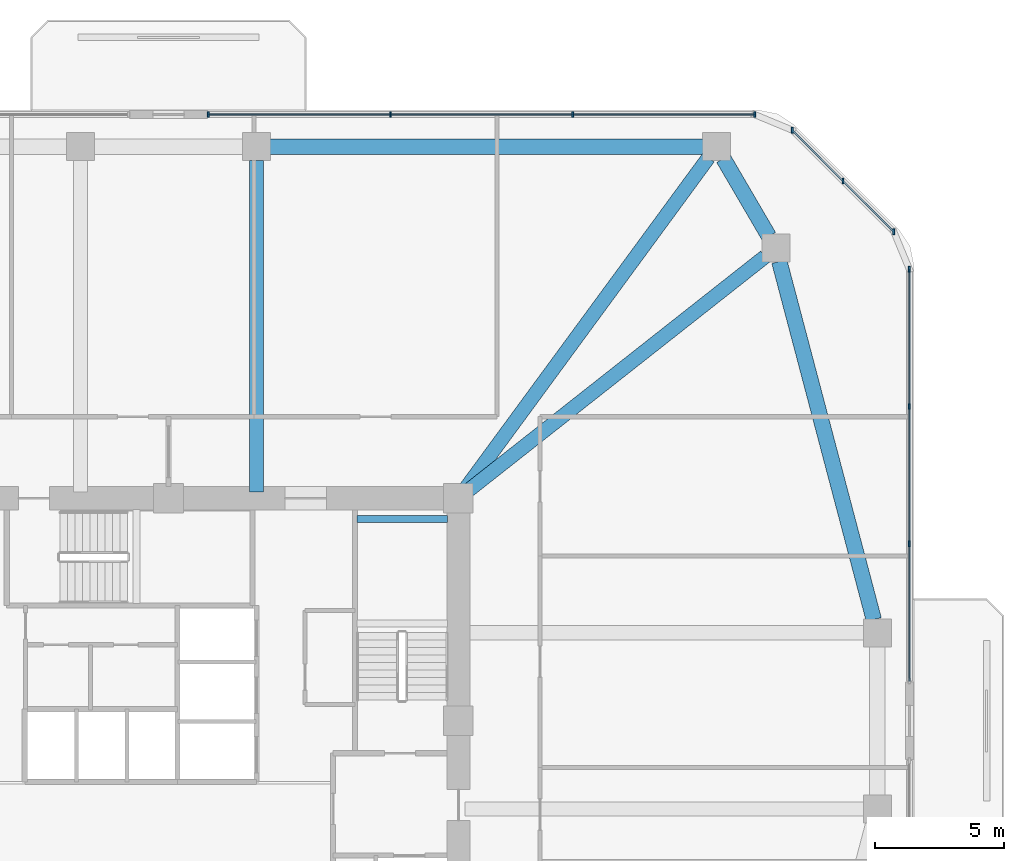
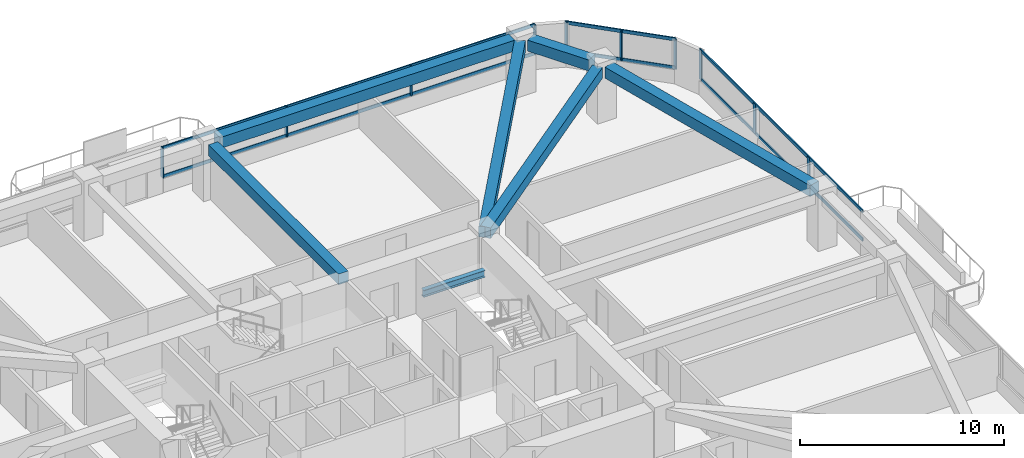
# One storey, part 7 of 13: 16 members, 7 beams, 3 elements without a shape of their own.
"""IFC4 building model written with IfcOpenShell, lengths in metres."""

import ifcopenshell
import ifcopenshell.guid

model = None  # the IFC model being written
_history = None  # IfcOwnerHistory: only IFC2X3 demands one
_inside = {}  # id of a spatial element -> (the spatial element, [elements in it])
_under = {}  # id of a project, library or spatial element -> (it, [spatial elements below it])
_declared = {}  # id of a project -> (the project, [libraries it declares])
_typed = {}  # id of a type object -> (the type object, [elements of that type])
_made_of = {}  # id of a material, layer set ... -> (it, [elements and type objects made of it])


def new_model(schema):
    """Start an empty IFC model of exactly this schema.

    Asked for "IFC4X3", IfcOpenShell would pick the latest addendum, in which some entities
    have other attributes; the version numbers below select the first issue.
    IFC2X3 requires an IfcOwnerHistory on every rooted entity: one is made here for all.
    """
    global model, _history
    if schema == "IFC4X3":
        model = ifcopenshell.file(schema_version=(4, 3, 0, 0))
    else:
        model = ifcopenshell.file(schema=schema)
    _inside.clear()
    _under.clear()
    _declared.clear()
    _typed.clear()
    _made_of.clear()
    _history = None
    if model.schema == "IFC2X3":
        org = make("IfcOrganization", Name="unknown")
        user = make(
            "IfcPersonAndOrganization",
            ThePerson=make("IfcPerson", FamilyName="unknown"),
            TheOrganization=org,
        )
        app = make(
            "IfcApplication",
            ApplicationDeveloper=org,
            Version="unknown",
            ApplicationFullName="unknown",
            ApplicationIdentifier="unknown",
        )
        _history = make(
            "IfcOwnerHistory",
            OwningUser=user,
            OwningApplication=app,
            ChangeAction="ADDED",
            CreationDate=0,
        )
    return model


def make(cls, **values):
    """One entity of the class cls with the attributes given. An attribute that is None is left unset."""
    return model.create_entity(
        cls, **{name: value for name, value in values.items() if value is not None}
    )


def rooted(cls, **values):
    """An entity with a GlobalId (a new one), such as an element, a storey or a relation."""
    return make(cls, GlobalId=ifcopenshell.guid.new(), OwnerHistory=_history, **values)


def si_unit(unit_type, name, prefix=None):
    """IfcSIUnit, for example si_unit("LENGTHUNIT", "METRE", prefix="MILLI")."""
    return make("IfcSIUnit", UnitType=unit_type, Prefix=prefix, Name=name)


def derived_unit(unit_type, elements):
    """IfcDerivedUnit: a product of units, each with its exponent."""
    return make(
        "IfcDerivedUnit",
        Elements=[
            make("IfcDerivedUnitElement", Unit=unit, Exponent=power)
            for unit, power in elements
        ],
        UnitType=unit_type,
    )


def assignment(units):
    """IfcUnitAssignment: the units of a project."""
    return None if units is None else make("IfcUnitAssignment", Units=units)


def point(xyz):
    """IfcCartesianPoint."""
    return None if xyz is None else make("IfcCartesianPoint", Coordinates=xyz)


def direction(xyz):
    """IfcDirection."""
    return None if xyz is None else make("IfcDirection", DirectionRatios=xyz)


def frame(location, z_axis=None, x_axis=None):
    """IfcAxis2Placement3D, a coordinate frame: its origin and axes. An axis left out is left unset."""
    return make(
        "IfcAxis2Placement3D",
        Location=point(location),
        Axis=direction(z_axis),
        RefDirection=direction(x_axis),
    )


def frame_2d(location, x_axis=None):
    """IfcAxis2Placement2D, a coordinate frame in the plane: its origin and x axis."""
    return make(
        "IfcAxis2Placement2D", Location=point(location), RefDirection=direction(x_axis)
    )


def origin():
    """The frame at (0, 0, 0) with its axes left unset."""
    return frame((0.0, 0.0, 0.0))


def origin_2d():
    """The frame at (0, 0) in the plane with its x axis left unset."""
    return frame_2d((0.0, 0.0))


def place(relative_to, where):
    """IfcLocalPlacement: puts the frame where relative to a parent placement (None: the world)."""
    return make(
        "IfcLocalPlacement", PlacementRelTo=relative_to, RelativePlacement=where
    )


def context(
    kind, dimensions, precision=None, world=None, true_north=None, identifier=None
):
    """IfcGeometricRepresentationContext, for example the 3D "Model" context."""
    return make(
        "IfcGeometricRepresentationContext",
        ContextIdentifier=identifier,
        ContextType=kind,
        CoordinateSpaceDimension=dimensions,
        Precision=precision,
        WorldCoordinateSystem=world,
        TrueNorth=true_north,
    )


def subcontext(parent, identifier, kind, view, scale=None):
    """IfcGeometricRepresentationSubContext, for example "Body" below "Model"."""
    return make(
        "IfcGeometricRepresentationSubContext",
        ContextIdentifier=identifier,
        ContextType=kind,
        ParentContext=parent,
        TargetScale=scale,
        TargetView=view,
    )


def project(units=None, contexts=None):
    """IfcProject with its units and contexts."""
    return rooted(
        "IfcProject",
        Name="project",
        RepresentationContexts=contexts,
        UnitsInContext=assignment(units),
    )


def spatial(cls, under=None, at=None, **own):
    """A site, building, storey or space (cls), placed at a placement, below another one or the project."""
    s = rooted(cls, ObjectPlacement=at, **own)
    if under is not None:
        _under.setdefault(under.id(), (under, []))[1].append(s)
    return s


def profile(cls, at=None, kind="AREA", **sizes):
    """A parametric profile (cls). Its sizes go by their IFC names, for example OverallWidth=200.0."""
    return make(cls, ProfileType=kind, Position=at, **sizes)


def rectangle(**sizes):
    """IfcRectangleProfileDef."""
    return profile("IfcRectangleProfileDef", **sizes)


def i_section(**sizes):
    """IfcIShapeProfileDef."""
    return profile("IfcIShapeProfileDef", **sizes)


def extrude(swept, where, along, depth):
    """IfcExtrudedAreaSolid: the profile swept, set in the frame where, extruded along a direction by depth."""
    return make(
        "IfcExtrudedAreaSolid",
        SweptArea=swept,
        Position=where,
        ExtrudedDirection=direction(along),
        Depth=depth,
    )


def shape(context_of_items, identifier, shape_type, items):
    """IfcShapeRepresentation: the items that make up one representation, for example the "Body"."""
    return make(
        "IfcShapeRepresentation",
        ContextOfItems=context_of_items,
        RepresentationIdentifier=identifier,
        RepresentationType=shape_type,
        Items=items,
    )


def material(Name=None, Category=None):
    """IfcMaterial."""
    return make("IfcMaterial", Name=Name, Category=Category)


def material_profile(
    of_material, cross_section, Name=None, Category=None, Priority=None
):
    """IfcMaterialProfile: a cross section and its material."""
    return make(
        "IfcMaterialProfile",
        Name=Name,
        Material=of_material,
        Profile=cross_section,
        Priority=Priority,
        Category=Category,
    )


def profile_set(profiles, Name=None, composite=None):
    """IfcMaterialProfileSet."""
    return make(
        "IfcMaterialProfileSet",
        Name=Name,
        MaterialProfiles=profiles,
        CompositeProfile=composite,
    )


def made_of(thing, what):
    """Note that an element or type object is made of a material, layer set ...; save() writes the relation."""
    if what is not None:
        _made_of.setdefault(what.id(), (what, []))[1].append(thing)
    return thing


def type_object(cls, material=None, **own):
    """A type object (cls), such as IfcWallType, which elements share."""
    return made_of(rooted(cls, **own), material)


def element(
    cls,
    number,
    at=None,
    inside=None,
    cuts=None,
    type_object=None,
    material=None,
    context=None,
    identifier="Body",
    shape_type=None,
    held_by="IfcProductDefinitionShape",
    body=None,
    shapes=None,
    **own,
):
    """One element of the class cls, such as IfcWall. Its Tag is "e" and its number.

    at: its placement. inside: the storey or other place that contains it. cuts: it is an
    opening in that element (IfcRelVoidsElement). A single representation is given by context,
    identifier, shape_type and body (its items); several are given by shapes. held_by: the class
    of the entity that holds the representations. save() writes the other relations.
    """
    e = rooted(cls, Tag="e%d" % number, ObjectPlacement=at, **own)
    if body is not None:
        shapes = [shape(context, identifier, shape_type, body)]
    if shapes is not None:
        e.Representation = make(held_by, Representations=shapes)
    if inside is not None:
        _inside.setdefault(inside.id(), (inside, []))[1].append(e)
    if cuts is not None:
        rooted(
            "IfcRelVoidsElement", RelatingBuildingElement=cuts, RelatedOpeningElement=e
        )
    if type_object is not None:
        _typed.setdefault(type_object.id(), (type_object, []))[1].append(e)
    return made_of(e, material)


def aggregate(whole, parts):
    """IfcRelAggregates: a whole, such as a stair, and the parts it consists of."""
    return rooted("IfcRelAggregates", RelatingObject=whole, RelatedObjects=parts)


def save(model, path):
    """Write the relations noted so far, then the file.

    IfcRelAggregates (storeys below a building ...), IfcRelContainedInSpatialStructure (elements
    in a storey), IfcRelDefinesByType, IfcRelAssociatesMaterial and IfcRelDeclares: one each for
    every whole, place, type object, material and project.
    """
    for whole, parts in _under.values():
        aggregate(whole, parts)
    for where, things in _inside.values():
        rooted(
            "IfcRelContainedInSpatialStructure",
            RelatedElements=things,
            RelatingStructure=where,
        )
    for kind, things in _typed.values():
        rooted("IfcRelDefinesByType", RelatedObjects=things, RelatingType=kind)
    for what, things in _made_of.values():
        rooted("IfcRelAssociatesMaterial", RelatedObjects=things, RelatingMaterial=what)
    for by, libraries in _declared.values():
        rooted("IfcRelDeclares", RelatingContext=by, RelatedDefinitions=libraries)
    model.write(path)


model = new_model("IFC4")

# Units and contexts
model_context = context("Model", 3, precision=1e-05, world=origin(), true_north=direction((0.0, 1.0)))
body_context = subcontext(model_context, "Body", "Model", "MODEL_VIEW")
ifc_project = project(units=[si_unit("LENGTHUNIT", "METRE"), si_unit("AREAUNIT", "SQUARE_METRE"), si_unit("VOLUMEUNIT", "CUBIC_METRE"), si_unit("PLANEANGLEUNIT", "RADIAN"), si_unit("MASSUNIT", "GRAM", prefix="KILO"), derived_unit("THERMALTRANSMITTANCEUNIT", [(si_unit("POWERUNIT", "WATT"), 1), (si_unit("LENGTHUNIT", "METRE"), -2), (si_unit("THERMODYNAMICTEMPERATUREUNIT", "KELVIN"), -1)])], contexts=[model_context])

# Site, building, storey
site_placement = place(None, origin())
site = spatial("IfcSite", under=ifc_project, at=site_placement, CompositionType="ELEMENT")
building_placement = place(site_placement, origin())
building = spatial("IfcBuilding", under=site, at=building_placement, Name="Koralith Skygarden Medical Center", CompositionType="ELEMENT")
storey_placement = place(building_placement, frame((0.0, 0.0, 59.93994140625)))
storey = spatial("IfcBuildingStorey", under=building, at=storey_placement, Name="L15", CompositionType="ELEMENT", Elevation=59.93994140625)

# Curtain wall, members
ifc_material_1 = material(Name="Clear Laminated Glass", Category="glass")
curtain_wall_type = type_object("IfcCurtainWallType", Name="CW-2 Zone 1 Hurricane Unitised Curtain Wall", PredefinedType="NOTDEFINED", material=ifc_material_1)
curtain_wall_1_placement = place(storey_placement, origin())
curtain_wall_1 = element("IfcCurtainWall", 1, at=curtain_wall_1_placement, inside=storey, type_object=curtain_wall_type, Name="Curtain Wall CW-L15-E-R", PredefinedType="NOTDEFINED")
ifc_material_2 = material(Name="Aluminium 6063-T6", Category="aluminium")
ifc_material_profile_1 = material_profile(ifc_material_2, rectangle(XDim=0.071044921875, YDim=0.219970703125, at=origin_2d()), Name="MUL71X220")
ifc_profile_set_1 = profile_set([ifc_material_profile_1], Name="Aluminium 6063-T6")
member_type_1 = type_object("IfcMemberType", Name="CW-2 Extruded Mullion 71x220", PredefinedType="MULLION", material=ifc_profile_set_1)
member_1_placement = place(storey_placement, frame((65.6201171875, 32.741943359375, 0.85009765625), z_axis=(0.0, 0.0, 1.0), x_axis=(1.0, 0.0, 0.0)))
member_1 = element("IfcMember", 2, at=member_1_placement, type_object=member_type_1, Name="CW-L15-E-R Mullion 2", PredefinedType="MULLION", context=body_context, shape_type="SweptSolid", body=[
    extrude(rectangle(XDim=0.071044921875, YDim=0.219970703125, at=origin_2d()), origin(), (0.0, 0.0, 1.0), 1.800048828125),
])
member_2_placement = place(storey_placement, frame((65.6201171875, 38.04296875, 0.85009765625), z_axis=(0.0, 0.0, 1.0), x_axis=(1.0, 0.0, 0.0)))
member_2 = element("IfcMember", 3, at=member_2_placement, type_object=member_type_1, Name="CW-L15-E-R Mullion 3", PredefinedType="MULLION", context=body_context, shape_type="SweptSolid", body=[
    extrude(rectangle(XDim=0.071044921875, YDim=0.219970703125, at=origin_2d()), origin(), (0.0, 0.0, 1.0), 1.800048828125),
])
member_3_placement = place(storey_placement, frame((65.6201171875, 43.344970703125, 0.85009765625), z_axis=(0.0, 0.0, 1.0), x_axis=(1.0, 0.0, 0.0)))
member_3 = element("IfcMember", 4, at=member_3_placement, type_object=member_type_1, Name="CW-L15-E-R Mullion 4", PredefinedType="MULLION", context=body_context, shape_type="SweptSolid", body=[
    extrude(rectangle(XDim=0.071044921875, YDim=0.219970703125, at=origin_2d()), origin(), (0.0, 0.0, 1.0), 1.800048828125),
])

curtain_wall_2_placement = place(storey_placement, origin())
curtain_wall_2 = element("IfcCurtainWall", 5, at=curtain_wall_2_placement, inside=storey, type_object=curtain_wall_type, Name="Curtain Wall CW-L15-NE", PredefinedType="NOTDEFINED")
member_4_placement = place(storey_placement, frame((65.01904296875, 44.7958984375, 0.85009765625), z_axis=(0.0, 0.0, 1.0), x_axis=(1.0, 0.0, 0.0)))
member_4 = element("IfcMember", 6, at=member_4_placement, type_object=member_type_1, Name="CW-L15-NE Mullion 1", PredefinedType="MULLION", context=body_context, shape_type="SweptSolid", body=[
    extrude(rectangle(XDim=0.071044921875, YDim=0.219970703125, at=origin_2d()), origin(), (0.0, 0.0, 1.0), 1.800048828125),
])
member_5_placement = place(storey_placement, frame((63.05810546875, 46.758056640625, 0.85009765625), z_axis=(0.0, 0.0, 1.0), x_axis=(1.0, 0.0, 0.0)))
member_5 = element("IfcMember", 7, at=member_5_placement, type_object=member_type_1, Name="CW-L15-NE Mullion 2", PredefinedType="MULLION", context=body_context, shape_type="SweptSolid", body=[
    extrude(rectangle(XDim=0.071044921875, YDim=0.219970703125, at=origin_2d()), origin(), (0.0, 0.0, 1.0), 1.800048828125),
])
member_6_placement = place(storey_placement, frame((61.095947265625, 48.718994140625, 0.85009765625), z_axis=(0.0, 0.0, 1.0), x_axis=(1.0, 0.0, 0.0)))
member_6 = element("IfcMember", 8, at=member_6_placement, type_object=member_type_1, Name="CW-L15-NE Mullion 3", PredefinedType="MULLION", context=body_context, shape_type="SweptSolid", body=[
    extrude(rectangle(XDim=0.071044921875, YDim=0.219970703125, at=origin_2d()), origin(), (0.0, 0.0, 1.0), 1.800048828125),
])

curtain_wall_3_placement = place(storey_placement, origin())
curtain_wall_3 = element("IfcCurtainWall", 9, at=curtain_wall_3_placement, inside=storey, type_object=curtain_wall_type, Name="Curtain Wall CW-L15-N-L", PredefinedType="NOTDEFINED")
member_7_placement = place(storey_placement, frame((59.64501953125, 49.320068359375, 0.85009765625), z_axis=(0.0, 0.0, 1.0), x_axis=(1.0, 0.0, 0.0)))
member_7 = element("IfcMember", 10, at=member_7_placement, type_object=member_type_1, Name="CW-L15-N-L Mullion 1", PredefinedType="MULLION", context=body_context, shape_type="SweptSolid", body=[
    extrude(rectangle(XDim=0.071044921875, YDim=0.219970703125, at=origin_2d()), origin(), (0.0, 0.0, 1.0), 1.800048828125),
])
member_8_placement = place(storey_placement, frame((52.610107421875, 49.320068359375, 0.85009765625), z_axis=(0.0, 0.0, 1.0), x_axis=(1.0, 0.0, 0.0)))
member_8 = element("IfcMember", 11, at=member_8_placement, type_object=member_type_1, Name="CW-L15-N-L Mullion 2", PredefinedType="MULLION", context=body_context, shape_type="SweptSolid", body=[
    extrude(rectangle(XDim=0.071044921875, YDim=0.219970703125, at=origin_2d()), origin(), (0.0, 0.0, 1.0), 1.800048828125),
])
member_9_placement = place(storey_placement, frame((45.574951171875, 49.320068359375, 0.85009765625), z_axis=(0.0, 0.0, 1.0), x_axis=(1.0, 0.0, 0.0)))
member_9 = element("IfcMember", 12, at=member_9_placement, type_object=member_type_1, Name="CW-L15-N-L Mullion 3", PredefinedType="MULLION", context=body_context, shape_type="SweptSolid", body=[
    extrude(rectangle(XDim=0.071044921875, YDim=0.219970703125, at=origin_2d()), origin(), (0.0, 0.0, 1.0), 1.800048828125),
])
member_10_placement = place(storey_placement, frame((38.5400390625, 49.320068359375, 0.85009765625), z_axis=(0.0, 0.0, 1.0), x_axis=(1.0, 0.0, 0.0)))
member_10 = element("IfcMember", 13, at=member_10_placement, type_object=member_type_1, Name="CW-L15-N-L Mullion 4", PredefinedType="MULLION", context=body_context, shape_type="SweptSolid", body=[
    extrude(rectangle(XDim=0.071044921875, YDim=0.219970703125, at=origin_2d()), origin(), (0.0, 0.0, 1.0), 1.800048828125),
])

# Member
ifc_material_profile_2 = material_profile(ifc_material_2, rectangle(XDim=0.06591796875, YDim=0.197998046875, at=origin_2d()), Name="TRN66X198")
ifc_profile_set_2 = profile_set([ifc_material_profile_2], Name="Aluminium 6063-T6")
member_type_2 = type_object("IfcMemberType", Name="CW-2 Thermal Transom 66x198", PredefinedType="USERDEFINED", material=ifc_profile_set_2)
member_11_placement = place(storey_placement, frame((65.6201171875, 27.43994140625, 0.900146484375), z_axis=(0.0, 1.0, 0.0), x_axis=(-1.0, 0.0, 0.0)))
member_11 = element("IfcMember", 14, at=member_11_placement, type_object=member_type_2, Name="CW-L15-E-R Transom 1", ObjectType="TRANSOM", PredefinedType="USERDEFINED", context=body_context, shape_type="SweptSolid", body=[
    extrude(rectangle(XDim=0.06591796875, YDim=0.197998046875, at=origin_2d()), origin(), (0.0, 0.0, 1.0), 15.905029296875),
])

member_12_placement = place(storey_placement, frame((65.6201171875, 27.43994140625, 2.60009765625), z_axis=(0.0, 1.0, 0.0), x_axis=(-1.0, 0.0, 0.0)))
member_12 = element("IfcMember", 15, at=member_12_placement, type_object=member_type_2, Name="CW-L15-E-R Transom 2", ObjectType="TRANSOM", PredefinedType="USERDEFINED", context=body_context, shape_type="SweptSolid", body=[
    extrude(rectangle(XDim=0.06591796875, YDim=0.197998046875, at=origin_2d()), origin(), (0.0, 0.0, 1.0), 15.905029296875),
])

aggregate(curtain_wall_1, [member_1, member_2, member_3, member_11, member_12])

member_13_placement = place(storey_placement, frame((65.01904296875, 44.7958984375, 0.900146484375), z_axis=(-0.707106781187, 0.707106781187, 0.0), x_axis=(-0.707106781187, -0.707106781187, 0.0)))
member_13 = element("IfcMember", 16, at=member_13_placement, type_object=member_type_2, Name="CW-L15-NE Transom 1", ObjectType="TRANSOM", PredefinedType="USERDEFINED", context=body_context, shape_type="SweptSolid", body=[
    extrude(rectangle(XDim=0.06591796875, YDim=0.197998046875, at=origin_2d()), origin(), (0.0, 0.0, 1.0), 5.548095703125),
])

member_14_placement = place(storey_placement, frame((65.01904296875, 44.7958984375, 2.60009765625), z_axis=(-0.707106781187, 0.707106781187, 0.0), x_axis=(-0.707106781187, -0.707106781187, 0.0)))
member_14 = element("IfcMember", 17, at=member_14_placement, type_object=member_type_2, Name="CW-L15-NE Transom 2", ObjectType="TRANSOM", PredefinedType="USERDEFINED", context=body_context, shape_type="SweptSolid", body=[
    extrude(rectangle(XDim=0.06591796875, YDim=0.197998046875, at=origin_2d()), origin(), (0.0, 0.0, 1.0), 5.548095703125),
])

aggregate(curtain_wall_2, [member_4, member_5, member_6, member_13, member_14])

member_15_placement = place(storey_placement, frame((59.64501953125, 49.320068359375, 0.900146484375), z_axis=(-1.0, 0.0, 0.0), x_axis=(0.0, -1.0, 0.0)))
member_15 = element("IfcMember", 18, at=member_15_placement, type_object=member_type_2, Name="CW-L15-N-L Transom 1", ObjectType="TRANSOM", PredefinedType="USERDEFINED", context=body_context, shape_type="SweptSolid", body=[
    extrude(rectangle(XDim=0.06591796875, YDim=0.197998046875, at=origin_2d()), origin(), (0.0, 0.0, 1.0), 21.10498046875),
])

member_16_placement = place(storey_placement, frame((59.64501953125, 49.320068359375, 2.60009765625), z_axis=(-1.0, 0.0, 0.0), x_axis=(0.0, -1.0, 0.0)))
member_16 = element("IfcMember", 19, at=member_16_placement, type_object=member_type_2, Name="CW-L15-N-L Transom 2", ObjectType="TRANSOM", PredefinedType="USERDEFINED", context=body_context, shape_type="SweptSolid", body=[
    extrude(rectangle(XDim=0.06591796875, YDim=0.197998046875, at=origin_2d()), origin(), (0.0, 0.0, 1.0), 21.10498046875),
])

aggregate(curtain_wall_3, [member_7, member_8, member_9, member_10, member_15, member_16])

# Beams
ifc_material_3 = material(Name="Steel ASTM A992 Grade 50", Category="steel")
ifc_material_profile_3 = material_profile(ifc_material_3, i_section(OverallWidth=0.260009765625, OverallDepth=0.4150390625, WebThickness=0.010009765625, FlangeThickness=0.016845703125, at=origin_2d()), Name="W16X67")
ifc_profile_set_3 = profile_set([ifc_material_profile_3], Name="Steel ASTM A992 Grade 50")
beam_type_1 = type_object("IfcBeamType", Name="Clinical Floor Joist W16X67", PredefinedType="JOIST", material=ifc_profile_set_3)
beam_1_placement = place(storey_placement, frame((44.280029296875, 33.699951171875, 1.39208984375), z_axis=(1.0, 0.0, 0.0), x_axis=(0.0, 1.0, 0.0)))
element("IfcBeam", 20, at=beam_1_placement, inside=storey, type_object=beam_type_1, Name="L15 Stair ST2 Half-Landing Support Beam 1B", PredefinedType="JOIST", context=body_context, shape_type="SweptSolid", body=[
    extrude(i_section(OverallWidth=0.260009765625, OverallDepth=0.4150390625, WebThickness=0.010009765625, FlangeThickness=0.016845703125, at=origin_2d()), origin(), (0.0, 0.0, 1.0), 3.489990234375),
])
ifc_material_4 = material(Name="Concrete C45/55", Category="concrete")
ifc_material_profile_4 = material_profile(ifc_material_4, rectangle(XDim=0.550048828125, YDim=0.639892578125, at=origin_2d()), Name="RCB550X640")
ifc_profile_set_4 = profile_set([ifc_material_profile_4], Name="Concrete C45/55")
beam_type_2 = type_object("IfcBeamType", Name="Radial Collector Beam RCB550X640", PredefinedType="BEAM", material=ifc_profile_set_4)
beam_2_placement = place(storey_placement, frame((48.39599609375, 34.655029296875, 3.0), z_axis=(0.785497250365, 0.618865146594, 0.0), x_axis=(-0.618865146594, 0.785497250365, 0.0)))
element("IfcBeam", 21, at=beam_2_placement, inside=storey, type_object=beam_type_2, Name="L15 Radial Collector Beam RB-10", PredefinedType="BEAM", context=body_context, shape_type="SweptSolid", body=[
    extrude(rectangle(XDim=0.550048828125, YDim=0.639892578125, at=origin_2d()), origin(), (0.0, 0.0, 1.0), 14.828857421875),
])
beam_3_placement = place(storey_placement, frame((48.347900390625, 34.701904296875, 3.0), z_axis=(0.591710803277, 0.806150311843, 0.0), x_axis=(-0.806150311843, 0.591710803277, 0.0)))
element("IfcBeam", 22, at=beam_3_placement, inside=storey, type_object=beam_type_2, Name="L15 Radial Collector Beam RB-11", PredefinedType="BEAM", context=body_context, shape_type="SweptSolid", body=[
    extrude(rectangle(XDim=0.550048828125, YDim=0.639892578125, at=origin_2d()), origin(), (0.0, 0.0, 1.0), 16.0654296875),
])
beam_4_placement = place(storey_placement, frame((40.39990234375, 34.75, 3.0), z_axis=(0.0, 1.0, 0.0), x_axis=(-1.0, 0.0, 0.0)))
element("IfcBeam", 23, at=beam_4_placement, inside=storey, type_object=beam_type_2, Name="L15 Radial Collector Beam RB-12", PredefinedType="BEAM", context=body_context, shape_type="SweptSolid", body=[
    extrude(rectangle(XDim=0.550048828125, YDim=0.639892578125, at=origin_2d()), origin(), (0.0, 0.0, 1.0), 12.800048828125),
])
ifc_material_profile_5 = material_profile(ifc_material_4, rectangle(XDim=0.60009765625, YDim=0.659912109375, at=origin_2d()), Name="RCB600X660")
ifc_profile_set_5 = profile_set([ifc_material_profile_5], Name="Concrete C45/55")
beam_type_3 = type_object("IfcBeamType", Name="Zone 1 Spandrel Beam RCB600X660", PredefinedType="SPANDREL", material=ifc_profile_set_5)
beam_5_placement = place(storey_placement, frame((64.2451171875, 29.81201171875, 2.989990234375), z_axis=(-0.255088684842, 0.966917660851, 0.0), x_axis=(-0.966917660851, -0.255088684842, 0.0)))
element("IfcBeam", 24, at=beam_5_placement, inside=storey, type_object=beam_type_3, Name="L15 Perimeter Spandrel Beam SP-09", PredefinedType="SPANDREL", context=body_context, shape_type="SweptSolid", body=[
    extrude(rectangle(XDim=0.60009765625, YDim=0.659912109375, at=origin_2d()), origin(), (0.0, 0.0, 1.0), 14.309326171875),
])
beam_6_placement = place(storey_placement, frame((60.19189453125, 44.617919921875, 2.989990234375), z_axis=(-0.504608092658, 0.863348523381, 0.0), x_axis=(-0.863348523381, -0.504608092658, 0.0)))
element("IfcBeam", 25, at=beam_6_placement, inside=storey, type_object=beam_type_3, Name="L15 Perimeter Spandrel Beam SP-10", PredefinedType="SPANDREL", context=body_context, shape_type="SweptSolid", body=[
    extrude(rectangle(XDim=0.60009765625, YDim=0.659912109375, at=origin_2d()), origin(), (0.0, 0.0, 1.0), 3.479736328125),
])
beam_7_placement = place(storey_placement, frame((57.637939453125, 48.080078125, 2.989990234375), z_axis=(-1.0, 0.0, 0.0), x_axis=(0.0, -1.0, 0.0)))
element("IfcBeam", 26, at=beam_7_placement, inside=storey, type_object=beam_type_3, Name="L15 Perimeter Spandrel Beam SP-11", PredefinedType="SPANDREL", context=body_context, shape_type="SweptSolid", body=[
    extrude(rectangle(XDim=0.60009765625, YDim=0.659912109375, at=origin_2d()), origin(), (0.0, 0.0, 1.0), 16.7080078125),
])

save(model, "model.ifc")
